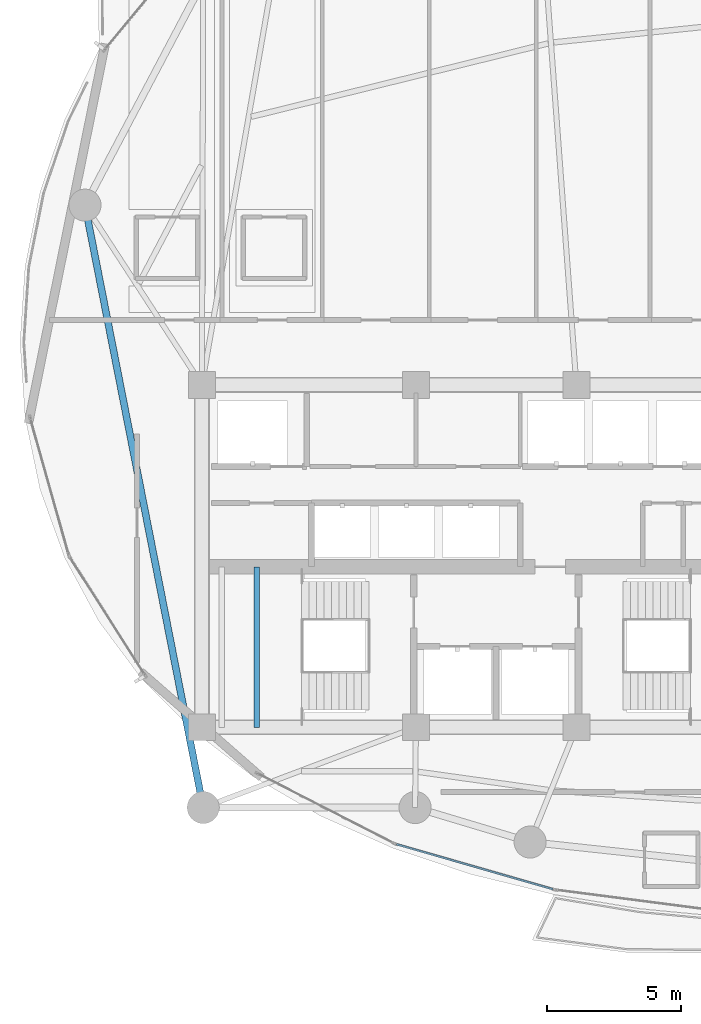
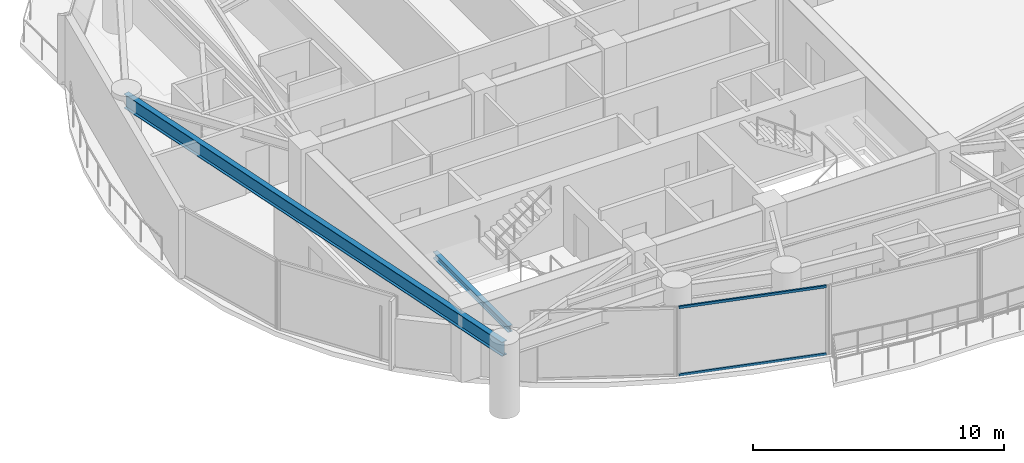
# One storey, part 4 of 28: 2 beams, 2 members, 1 element without a shape of its own.
"""IFC4 building model written with IfcOpenShell, lengths in metres."""

from ifc_helpers import new_model, si_unit, direction, frame, origin, origin_2d, place, context, subcontext, project, spatial, hollow_rectangle, i_section, extrude, material, layer, layer_set, material_profile, profile_set, type_object, element, aggregate, save


model = new_model("IFC4")

# Units and contexts
model_context = context("Model", 3, precision=1e-05, world=origin(), true_north=direction((0.0, 1.0)))
body_context = subcontext(model_context, "Body", "Model", "MODEL_VIEW")
ifc_project = project(units=[si_unit("LENGTHUNIT", "METRE"), si_unit("AREAUNIT", "SQUARE_METRE"), si_unit("VOLUMEUNIT", "CUBIC_METRE"), si_unit("PLANEANGLEUNIT", "RADIAN"), si_unit("MASSUNIT", "GRAM", prefix="KILO")], contexts=[model_context])

# Site, building, storey
site_placement = place(None, origin())
site = spatial("IfcSite", under=ifc_project, at=site_placement, CompositionType="ELEMENT")
building_placement = place(site_placement, origin())
building = spatial("IfcBuilding", under=site, at=building_placement, Name="Kazevale Care Tower and Concert Hall", CompositionType="ELEMENT")
storey_placement = place(building_placement, frame((0.0, 0.0, 142.199951171875)))
storey = spatial("IfcBuildingStorey", under=building, at=storey_placement, Name="L37", CompositionType="ELEMENT", Elevation=142.199951171875)

# Curtain wall, members
ifc_material_1 = material(Name="Aluminium 6063-T6 and Low-E Glass", Category="aluminium")
ifc_layer = layer(ifc_material_1, 0.179931640625)
ifc_layer_set = layer_set([ifc_layer], Name="Aluminium 6063-T6 and Low-E Glass")
curtain_wall_type = type_object("IfcCurtainWallType", Name="Sheltered Concave Balcony Curtain Wall CW-5", PredefinedType="NOTDEFINED", material=ifc_layer_set)
curtain_wall_placement = place(storey_placement, origin())
curtain_wall = element("IfcCurtainWall", 1, at=curtain_wall_placement, inside=storey, type_object=curtain_wall_type, Name="cw:L37:f08", PredefinedType="NOTDEFINED")
ifc_material_2 = material(Name="Aluminium 6063-T6", Category="aluminium")
ifc_material_profile_1 = material_profile(ifc_material_2, hollow_rectangle(XDim=0.074951171875, YDim=0.1201171875, WallThickness=0.00390625, at=origin_2d()), Name="ALU75x120x4")
ifc_profile_set_1 = profile_set([ifc_material_profile_1], Name="Aluminium 6063-T6")
member_type = type_object("IfcMemberType", Name="CW-5 Transom ALU75x120x4", PredefinedType="USERDEFINED", material=ifc_profile_set_1)
member_1_placement = place(storey_placement, frame((35.121826171875, 17.545654296875, 0.03759765625), z_axis=(-0.961067703236, 0.276312992451, 0.0), x_axis=(-0.276312992451, -0.961067703236, 0.0)))
member_1 = element("IfcMember", 2, at=member_1_placement, type_object=member_type, Name="CW-5 transom 1.1", ObjectType="TRANSOM", PredefinedType="USERDEFINED", context=body_context, shape_type="SweptSolid", body=[
    extrude(hollow_rectangle(XDim=0.074951171875, YDim=0.1201171875, WallThickness=0.00390625, at=origin_2d()), origin(), (0.0, 0.0, 1.0), 6.075439453125),
])
member_2_placement = place(storey_placement, frame((35.121826171875, 17.545654296875, 3.322509765625), z_axis=(-0.961067703236, 0.276312992451, 0.0), x_axis=(-0.276312992451, -0.961067703236, 0.0)))
member_2 = element("IfcMember", 3, at=member_2_placement, type_object=member_type, Name="CW-5 transom 1.2", ObjectType="TRANSOM", PredefinedType="USERDEFINED", context=body_context, shape_type="SweptSolid", body=[
    extrude(hollow_rectangle(XDim=0.074951171875, YDim=0.1201171875, WallThickness=0.00390625, at=origin_2d()), origin(), (0.0, 0.0, 1.0), 6.075439453125),
])
aggregate(curtain_wall, [member_1, member_2])

# Beams
ifc_material_3 = material(Name="Steel ASTM A572 Gr 50", Category="steel")
ifc_material_profile_2 = material_profile(ifc_material_3, i_section(OverallWidth=0.202880859375, OverallDepth=0.302978515625, WebThickness=0.007568359375, FlangeThickness=0.01318359375, at=origin_2d()), Name="W310x60")
ifc_profile_set_2 = profile_set([ifc_material_profile_2], Name="Steel ASTM A572 Gr 50")
beam_type_1 = type_object("IfcBeamType", Name="Stair & Balcony Trimmer W310x60", PredefinedType="BEAM", material=ifc_profile_set_2)
beam_1_placement = place(storey_placement, frame((24.050048828125, 23.60009765625, 1.448486328125), z_axis=(0.0, 1.0, 0.0), x_axis=(-1.0, 0.0, 0.0)))
element("IfcBeam", 4, at=beam_1_placement, inside=storey, type_object=beam_type_1, Name="beam:L37:sttrim:ST1b", PredefinedType="BEAM", context=body_context, shape_type="SweptSolid", body=[
    extrude(i_section(OverallWidth=0.202880859375, OverallDepth=0.302978515625, WebThickness=0.007568359375, FlangeThickness=0.01318359375, at=origin_2d()), origin(), (0.0, 0.0, 1.0), 6.0),
])
ifc_material_profile_3 = material_profile(ifc_material_3, i_section(OverallWidth=0.256103515625, OverallDepth=0.693115234375, WebThickness=0.014404296875, FlangeThickness=0.023681640625, at=origin_2d()), Name="W690x170")
ifc_profile_set_3 = profile_set([ifc_material_profile_3], Name="Steel ASTM A572 Gr 50")
beam_type_2 = type_object("IfcBeamType", Name="Waist Ring Beam W690x170", PredefinedType="BEAM", material=ifc_profile_set_3)
beam_2_placement = place(storey_placement, frame((17.6298828125, 43.1201171875, 3.013427734375), z_axis=(0.192602267784, -0.9812769061, 0.0), x_axis=(0.9812769061, 0.192602267784, 0.0)))
element("IfcBeam", 5, at=beam_2_placement, inside=storey, type_object=beam_type_2, Name="beam:L37:ring:09", PredefinedType="BEAM", context=body_context, shape_type="SweptSolid", body=[
    extrude(i_section(OverallWidth=0.256103515625, OverallDepth=0.693115234375, WebThickness=0.014404296875, FlangeThickness=0.023681640625, at=origin_2d()), origin(), (0.0, 0.0, 1.0), 22.94970703125),
])

save(model, "model.ifc")
